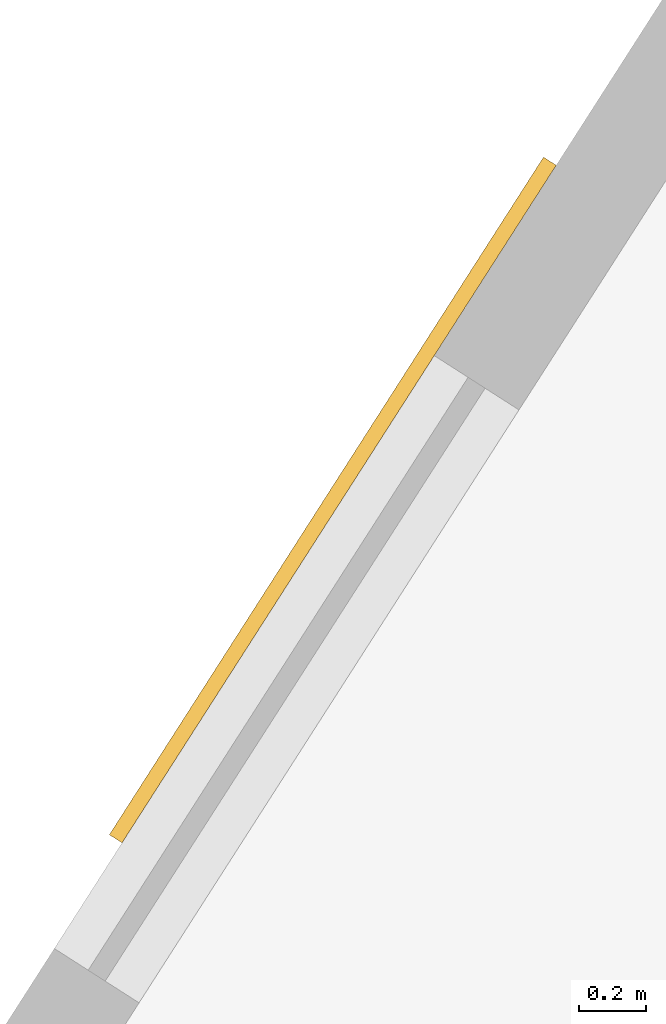
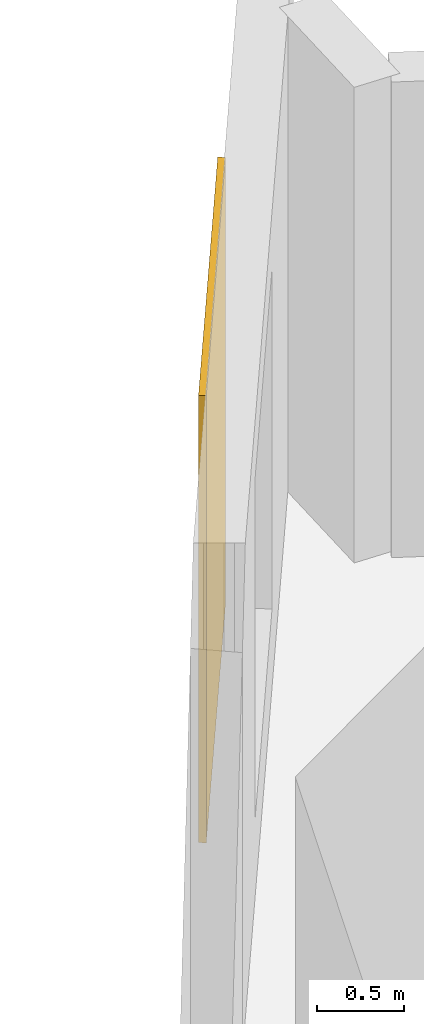
# One storey, part 10 of 10: 1 covering.
"""IFC4 building model written with IfcOpenShell, lengths in metres."""

from ifc_helpers import new_model, si_unit, direction, frame, origin, origin_2d, place, context, subcontext, project, spatial, rectangle, extrude, material, layer, layer_set, type_object, element, save


model = new_model("IFC4")

# Units and contexts
model_context = context("Model", 3, precision=1e-05, world=origin(), true_north=direction((0.0, 1.0)))
body_context = subcontext(model_context, "Body", "Model", "MODEL_VIEW")
ifc_project = project(units=[si_unit("LENGTHUNIT", "METRE"), si_unit("AREAUNIT", "SQUARE_METRE"), si_unit("VOLUMEUNIT", "CUBIC_METRE"), si_unit("PLANEANGLEUNIT", "RADIAN"), si_unit("MASSUNIT", "GRAM", prefix="KILO")], contexts=[model_context])

# Site, building, storey
site_placement = place(None, origin())
site = spatial("IfcSite", under=ifc_project, at=site_placement, CompositionType="ELEMENT")
building_placement = place(site_placement, origin())
building = spatial("IfcBuilding", under=site, at=building_placement, Name="Almagre Mirador Tower", CompositionType="ELEMENT")
storey_placement = place(building_placement, frame((0.0, 0.0, 171.60009765625)))
storey = spatial("IfcBuildingStorey", under=building, at=storey_placement, Name="L44", CompositionType="ELEMENT", Elevation=171.60009765625)

# Covering
ifc_material = material(Name="Almagre terracotta architectural cladding", Category="masonry")
ifc_layer = layer(ifc_material, 0.044921875)
ifc_layer_set = layer_set([ifc_layer], Name="Almagre terracotta architectural cladding")
covering_type = type_object("IfcCoveringType", Name="COV-CLAD-ALMAGRE", PredefinedType="CLADDING", material=ifc_layer_set)
covering_placement = place(storey_placement, frame((34.0595703125, 37.170166015625, 0.099853515625), z_axis=(0.0, 0.0, 1.0), x_axis=(0.539505758171, 0.841981910079, 0.0)))
element("IfcCovering", 1, at=covering_placement, inside=storey, type_object=covering_type, Name="L44 almagre terracotta pier cladding", PredefinedType="CLADDING", context=body_context, shape_type="SweptSolid", body=[
    extrude(rectangle(XDim=2.39990234375, YDim=0.044921875, at=origin_2d()), origin(), (0.0, 0.0, 1.0), 3.14990234375),
])

save(model, "model.ifc")
